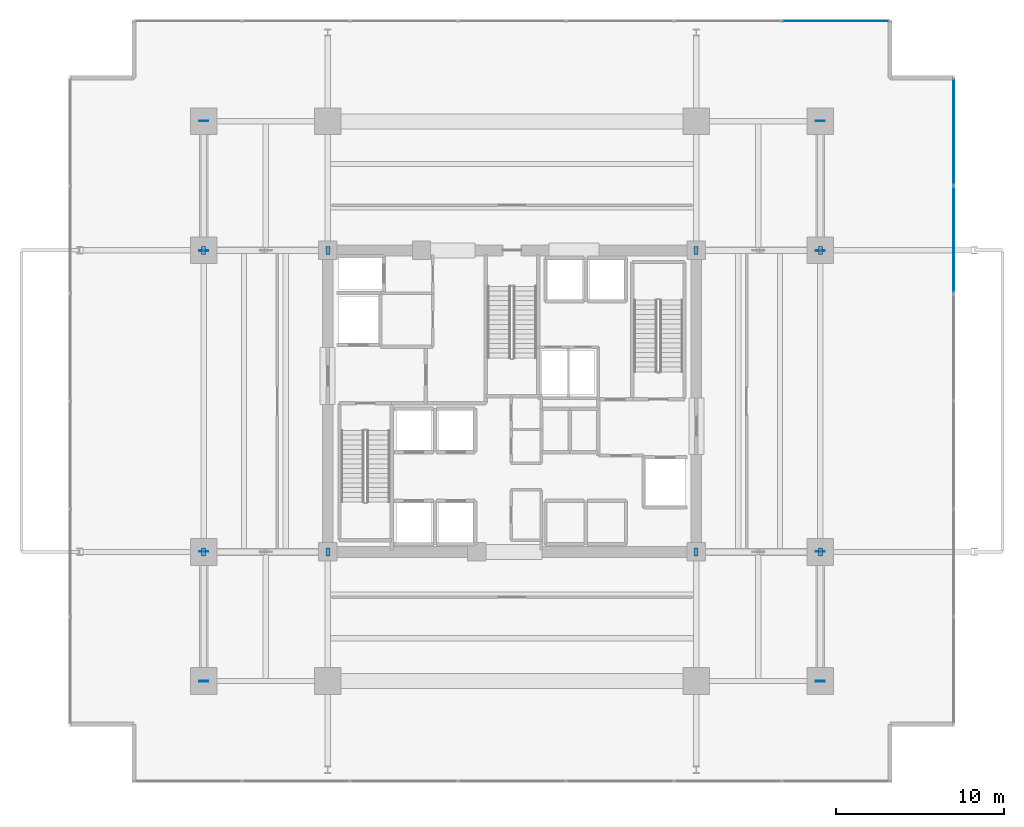
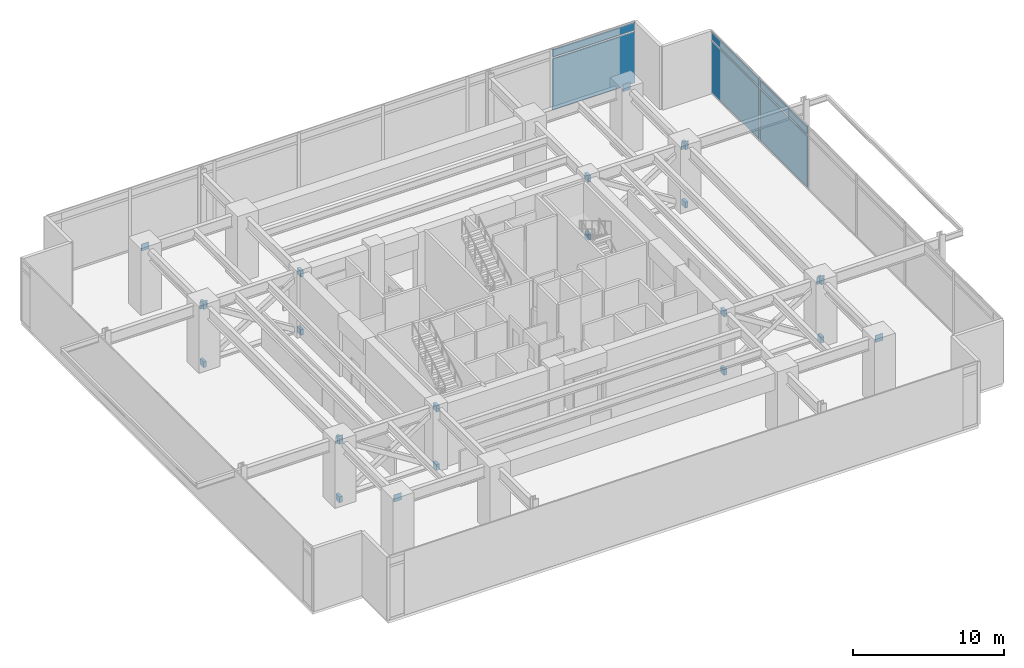
# One storey, part 22 of 26: 30 plates, 2 elements without a shape of their own.
"""IFC4 building model written with IfcOpenShell, lengths in metres."""

from ifc_helpers import new_model, si_unit, direction, frame, origin, origin_2d, place, context, subcontext, project, spatial, rectangle, extrude, material, layer, layer_set, type_object, element, aggregate, save


model = new_model("IFC4")

# Units and contexts
model_context = context("Model", 3, precision=1e-05, world=origin(), true_north=direction((0.0, 1.0)))
body_context = subcontext(model_context, "Body", "Model", "MODEL_VIEW")
ifc_project = project(units=[si_unit("LENGTHUNIT", "METRE"), si_unit("AREAUNIT", "SQUARE_METRE"), si_unit("VOLUMEUNIT", "CUBIC_METRE"), si_unit("PLANEANGLEUNIT", "RADIAN"), si_unit("MASSUNIT", "GRAM", prefix="KILO")], contexts=[model_context])

# Site, building, storey
site_placement = place(None, origin())
site = spatial("IfcSite", under=ifc_project, at=site_placement, CompositionType="ELEMENT")
building_placement = place(site_placement, origin())
building = spatial("IfcBuilding", under=site, at=building_placement, Name="Kovane Verandah Tower", CompositionType="ELEMENT")
storey_placement = place(building_placement, frame((0.0, 0.0, 113.0)))
storey = spatial("IfcBuildingStorey", under=building, at=storey_placement, Name="L26", CompositionType="ELEMENT", Elevation=113.0)

# Plates
ifc_material_1 = material(Name="Steel S460", Category="steel")
ifc_layer_1 = layer(ifc_material_1, 0.050048828125)
ifc_layer_set_1 = layer_set([ifc_layer_1], Name="Steel S460")
plate_type_1 = type_object("IfcPlateType", Name="PL-CAP-50", PredefinedType="SHEET", material=ifc_layer_set_1)
for number, where, z_axis, x_axis, name in (
    (1, (29.016845703125, 18.5, -0.130615234375), (0.0, 0.0, 1.0), (-1.0, 0.0, 0.0), "OT-D1-OW1-L26-P0"),
    (2, (21.5830078125, 18.5, 4.5908203125), (0.0, 0.0, 1.0), (-1.0, 0.0, 0.0), "OT-D1-OW1-L26-P1"),
    (3, (21.5830078125, 18.5, -0.130615234375), (0.0, 0.0, 1.0), (1.0, 0.0, 0.0), "OT-D2A-OW1-L26-P0"),
    (4, (29.016845703125, 18.5, 4.5908203125), (0.0, 0.0, 1.0), (1.0, 0.0, 0.0), "OT-D2B-OW1-L26-P1"),
    (5, (29.016845703125, 36.5, -0.130615234375), (0.0, 0.0, 1.0), (-1.0, 0.0, 0.0), "OT-D1-OW2-L26-P0"),
    (6, (21.5830078125, 36.5, 4.5908203125), (0.0, 0.0, 1.0), (-1.0, 0.0, 0.0), "OT-D1-OW2-L26-P1"),
    (7, (21.5830078125, 36.5, -0.130615234375), (0.0, 0.0, 1.0), (1.0, 0.0, 0.0), "OT-D2A-OW2-L26-P0"),
    (8, (29.016845703125, 36.5, 4.5908203125), (0.0, 0.0, 1.0), (1.0, 0.0, 0.0), "OT-D2B-OW2-L26-P1"),
    (9, (50.983154296875, 18.5, -0.130615234375), (0.0, 0.0, 1.0), (1.0, 0.0, 0.0), "OT-D1-OE1-L26-P0"),
    (10, (58.4169921875, 18.5, 4.5908203125), (0.0, 0.0, 1.0), (1.0, 0.0, 0.0), "OT-D1-OE1-L26-P1"),
    (11, (58.4169921875, 18.5, -0.130615234375), (0.0, 0.0, 1.0), (-1.0, 0.0, 0.0), "OT-D2A-OE1-L26-P0"),
    (12, (50.983154296875, 18.5, 4.5908203125), (0.0, 0.0, 1.0), (-1.0, 0.0, 0.0), "OT-D2B-OE1-L26-P1"),
    (13, (50.983154296875, 36.5, -0.130615234375), (0.0, 0.0, 1.0), (1.0, 0.0, 0.0), "OT-D1-OE2-L26-P0"),
    (14, (58.4169921875, 36.5, 4.5908203125), (0.0, 0.0, 1.0), (1.0, 0.0, 0.0), "OT-D1-OE2-L26-P1"),
    (15, (58.4169921875, 36.5, -0.130615234375), (0.0, 0.0, 1.0), (-1.0, 0.0, 0.0), "OT-D2A-OE2-L26-P0"),
    (16, (50.983154296875, 36.5, 4.5908203125), (0.0, 0.0, 1.0), (-1.0, 0.0, 0.0), "OT-D2B-OE2-L26-P1"),
):
    element("IfcPlate", number, at=place(storey_placement, frame(where, z_axis=z_axis, x_axis=x_axis)), inside=storey, type_object=plate_type_1, Name=name, PredefinedType="SHEET", context=body_context, shape_type="SweptSolid", body=[
        extrude(rectangle(XDim=0.219970703125, YDim=0.47998046875, at=origin_2d()), origin(), (0.0, 0.0, 1.0), 0.47998046875),
    ])
for number, where, z_axis, x_axis, name in (
    (17, (21.60009765625, 10.780029296875, 4.5400390625), (0.0, 0.0, 1.0), (0.0, 1.0, 0.0), "BT-CH-BW1-L26-P0"),
    (18, (21.60009765625, 18.52001953125, 4.5400390625), (0.0, 0.0, 1.0), (0.0, 1.0, 0.0), "BT-CH-BW1-L26-P1"),
    (19, (21.60009765625, 36.47998046875, 4.5400390625), (0.0, 0.0, 1.0), (0.0, 1.0, 0.0), "BT-CH-BW2-L26-P0"),
    (20, (21.60009765625, 44.219970703125, 4.5400390625), (0.0, 0.0, 1.0), (0.0, 1.0, 0.0), "BT-CH-BW2-L26-P1"),
    (21, (58.39990234375, 10.780029296875, 4.5400390625), (0.0, 0.0, 1.0), (0.0, 1.0, 0.0), "BT-CH-BE1-L26-P0"),
    (22, (58.39990234375, 18.52001953125, 4.5400390625), (0.0, 0.0, 1.0), (0.0, 1.0, 0.0), "BT-CH-BE1-L26-P1"),
    (23, (58.39990234375, 36.47998046875, 4.5400390625), (0.0, 0.0, 1.0), (0.0, 1.0, 0.0), "BT-CH-BE2-L26-P0"),
    (24, (58.39990234375, 44.219970703125, 4.5400390625), (0.0, 0.0, 1.0), (0.0, 1.0, 0.0), "BT-CH-BE2-L26-P1"),
):
    element("IfcPlate", number, at=place(storey_placement, frame(where, z_axis=z_axis, x_axis=x_axis)), inside=storey, type_object=plate_type_1, Name=name, PredefinedType="SHEET", context=body_context, shape_type="SweptSolid", body=[
        extrude(rectangle(XDim=0.050048828125, YDim=0.56005859375, at=origin_2d()), origin(), (0.0, 0.0, 1.0), 0.56005859375),
    ])

# Curtain wall, plates
ifc_material_2 = material(Name="Champagne Anodised Aluminium Frame with Low-E Clear Laminated Glass", Category="aluminium")
curtain_wall_type = type_object("IfcCurtainWallType", Name="CW-SYS-02-LOW", PredefinedType="NOTDEFINED", material=ifc_material_2)
curtain_wall_1_placement = place(storey_placement, origin())
curtain_wall_1 = element("IfcCurtainWall", 25, at=curtain_wall_1_placement, inside=storey, type_object=curtain_wall_type, Name="L26 E Unitised Curtain Wall", PredefinedType="NOTDEFINED")
ifc_material_3 = material(Name="Pale Champagne Anodised Aluminium Insulated Spandrel", Category="aluminium")
ifc_layer_2 = layer(ifc_material_3, 0.0400390625)
ifc_layer_set_2 = layer_set([ifc_layer_2], Name="Pale Champagne Anodised Aluminium Insulated Spandrel")
plate_type_2 = type_object("IfcPlateType", Name="PL-CW-SPD-40", PredefinedType="SHEET", material=ifc_layer_set_2)
plate_1_placement = place(storey_placement, frame((66.364013671875, 37.1474609375, 4.3701171875), z_axis=(0.0, 0.0, 1.0), x_axis=(0.0, 1.0, 0.0)))
plate_1 = element("IfcPlate", 26, at=plate_1_placement, type_object=plate_type_2, Name="L26 E Unitised Curtain Wall Spandrel Panel 5", PredefinedType="SHEET", context=body_context, shape_type="SweptSolid", body=[
    extrude(rectangle(XDim=6.29150390625, YDim=0.0400390625, at=origin_2d()), origin(), (0.0, 0.0, 1.0), 0.639892578125),
])
plate_2_placement = place(storey_placement, frame((66.364013671875, 43.5791015625, 4.3701171875), z_axis=(0.0, 0.0, 1.0), x_axis=(0.0, 1.0, 0.0)))
plate_2 = element("IfcPlate", 27, at=plate_2_placement, type_object=plate_type_2, Name="L26 E Unitised Curtain Wall Spandrel Panel 6", PredefinedType="SHEET", context=body_context, shape_type="SweptSolid", body=[
    extrude(rectangle(XDim=6.29150390625, YDim=0.0400390625, at=origin_2d()), origin(), (0.0, 0.0, 1.0), 0.639892578125),
])

# Curtain wall, plate
curtain_wall_2_placement = place(storey_placement, origin())
curtain_wall_2 = element("IfcCurtainWall", 28, at=curtain_wall_2_placement, inside=storey, type_object=curtain_wall_type, Name="L26 N Unitised Curtain Wall", PredefinedType="NOTDEFINED")
plate_3_placement = place(storey_placement, frame((59.3408203125, 50.19482421875, 4.3701171875), z_axis=(0.0, 0.0, 1.0), x_axis=(-1.0, 0.0, 0.0)))
plate_3 = element("IfcPlate", 29, at=plate_3_placement, type_object=plate_type_2, Name="L26 N Unitised Curtain Wall Spandrel Panel 1", PredefinedType="SHEET", context=body_context, shape_type="SweptSolid", body=[
    extrude(rectangle(XDim=6.306884765625, YDim=0.0400390625, at=origin_2d()), origin(), (0.0, 0.0, 1.0), 0.639892578125),
])

# Plate
ifc_material_4 = material(Name="Clear Low-E Laminated Double Glazing", Category="glass")
ifc_layer_3 = layer(ifc_material_4, 0.031982421875)
ifc_layer_set_3 = layer_set([ifc_layer_3], Name="Clear Low-E Laminated Double Glazing")
plate_type_3 = type_object("IfcPlateType", Name="PL-CW-VIS-32", PredefinedType="CURTAIN_PANEL", material=ifc_layer_set_3)
plate_4_placement = place(storey_placement, frame((66.364013671875, 37.1474609375, 0.10009765625), z_axis=(0.0, 0.0, 1.0), x_axis=(0.0, 1.0, 0.0)))
plate_4 = element("IfcPlate", 30, at=plate_4_placement, type_object=plate_type_3, Name="L26 E Unitised Curtain Wall Vision Panel 5", PredefinedType="CURTAIN_PANEL", context=body_context, shape_type="SweptSolid", body=[
    extrude(rectangle(XDim=6.29150390625, YDim=0.031982421875, at=origin_2d()), origin(), (0.0, 0.0, 1.0), 4.169921875),
])

plate_5_placement = place(storey_placement, frame((66.364013671875, 43.5791015625, 0.10009765625), z_axis=(0.0, 0.0, 1.0), x_axis=(0.0, 1.0, 0.0)))
plate_5 = element("IfcPlate", 31, at=plate_5_placement, type_object=plate_type_3, Name="L26 E Unitised Curtain Wall Vision Panel 6", PredefinedType="CURTAIN_PANEL", context=body_context, shape_type="SweptSolid", body=[
    extrude(rectangle(XDim=6.29150390625, YDim=0.031982421875, at=origin_2d()), origin(), (0.0, 0.0, 1.0), 4.169921875),
])

aggregate(curtain_wall_1, [plate_4, plate_1, plate_5, plate_2])

plate_6_placement = place(storey_placement, frame((59.3408203125, 50.19482421875, 0.10009765625), z_axis=(0.0, 0.0, 1.0), x_axis=(-1.0, 0.0, 0.0)))
plate_6 = element("IfcPlate", 32, at=plate_6_placement, type_object=plate_type_3, Name="L26 N Unitised Curtain Wall Vision Panel 1", PredefinedType="CURTAIN_PANEL", context=body_context, shape_type="SweptSolid", body=[
    extrude(rectangle(XDim=6.306884765625, YDim=0.031982421875, at=origin_2d()), origin(), (0.0, 0.0, 1.0), 4.169921875),
])

aggregate(curtain_wall_2, [plate_6, plate_3])

save(model, "model.ifc")
